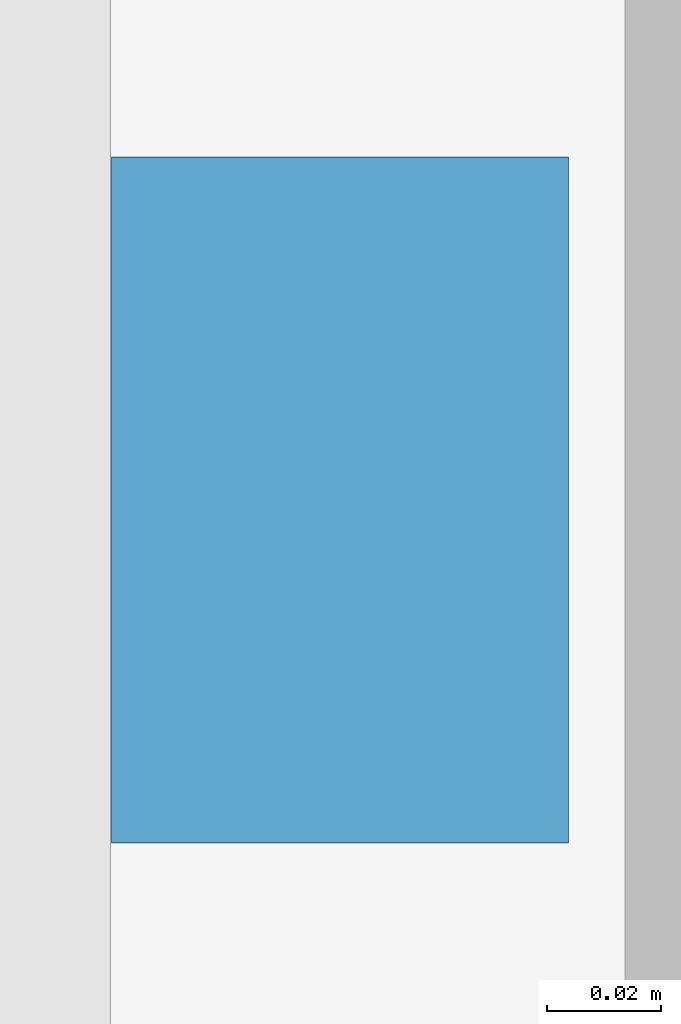
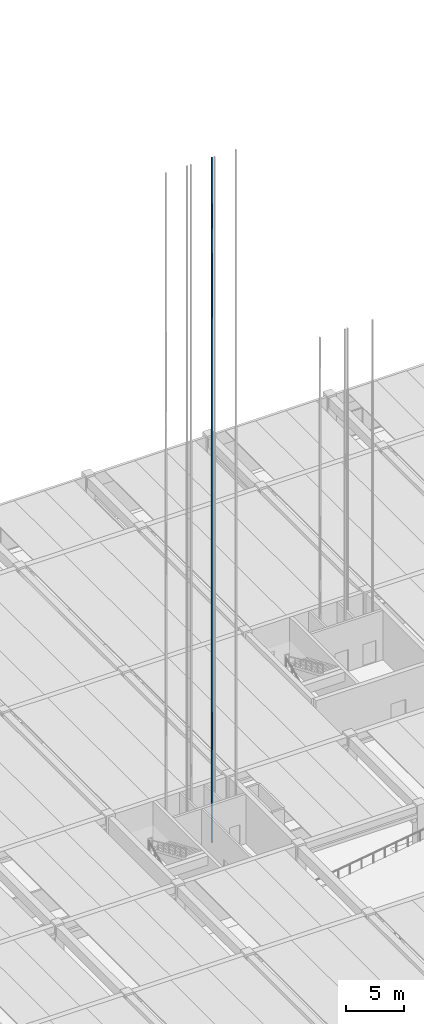
# One storey, part 40 of 59: 1 discrete accessory.
"""IFC4 building model written with IfcOpenShell, lengths in metres."""

from ifc_helpers import new_model, si_unit, direction, frame, origin, origin_2d, place, context, subcontext, project, spatial, rectangle, extrude, material, type_object, element, save


model = new_model("IFC4")

# Units and contexts
model_context = context("Model", 3, precision=1e-05, world=origin(), true_north=direction((0.0, 1.0)))
body_context = subcontext(model_context, "Body", "Model", "MODEL_VIEW")
ifc_project = project(units=[si_unit("LENGTHUNIT", "METRE"), si_unit("AREAUNIT", "SQUARE_METRE"), si_unit("VOLUMEUNIT", "CUBIC_METRE"), si_unit("PLANEANGLEUNIT", "RADIAN"), si_unit("MASSUNIT", "GRAM", prefix="KILO")], contexts=[model_context])

# Site, building, storey
site_placement = place(None, origin())
site = spatial("IfcSite", under=ifc_project, at=site_placement, CompositionType="ELEMENT")
building_placement = place(site_placement, origin())
building = spatial("IfcBuilding", under=site, at=building_placement, Name="Girod Span Mobility Hub", CompositionType="ELEMENT")
storey_placement = place(building_placement, origin())
storey = spatial("IfcBuildingStorey", under=building, at=storey_placement, Name="L00", CompositionType="ELEMENT", Elevation=0.0)

# Discrete accessory
ifc_material = material(Name="Steel A992 Grade 50", Category="steel")
discrete_accessory_type = type_object("IfcDiscreteAccessoryType", Name="ACC-LFT-RAIL", PredefinedType="USERDEFINED", material=ifc_material)
discrete_accessory_placement = place(storey_placement, frame((57.330078125, 67.300048828125, 0.0), z_axis=(0.0, 0.0, 1.0), x_axis=(1.0, 0.0, 0.0)))
element("IfcDiscreteAccessory", 1, at=discrete_accessory_placement, inside=storey, type_object=discrete_accessory_type, Name="Hoistway Guide Rail LP-1-E", ObjectType="GUIDE RAIL", PredefinedType="USERDEFINED", context=body_context, shape_type="SweptSolid", body=[
    extrude(rectangle(XDim=0.080078125, YDim=0.1201171875, at=origin_2d()), origin(), (0.0, 0.0, 1.0), 71.949951171875),
])

save(model, "model.ifc")
